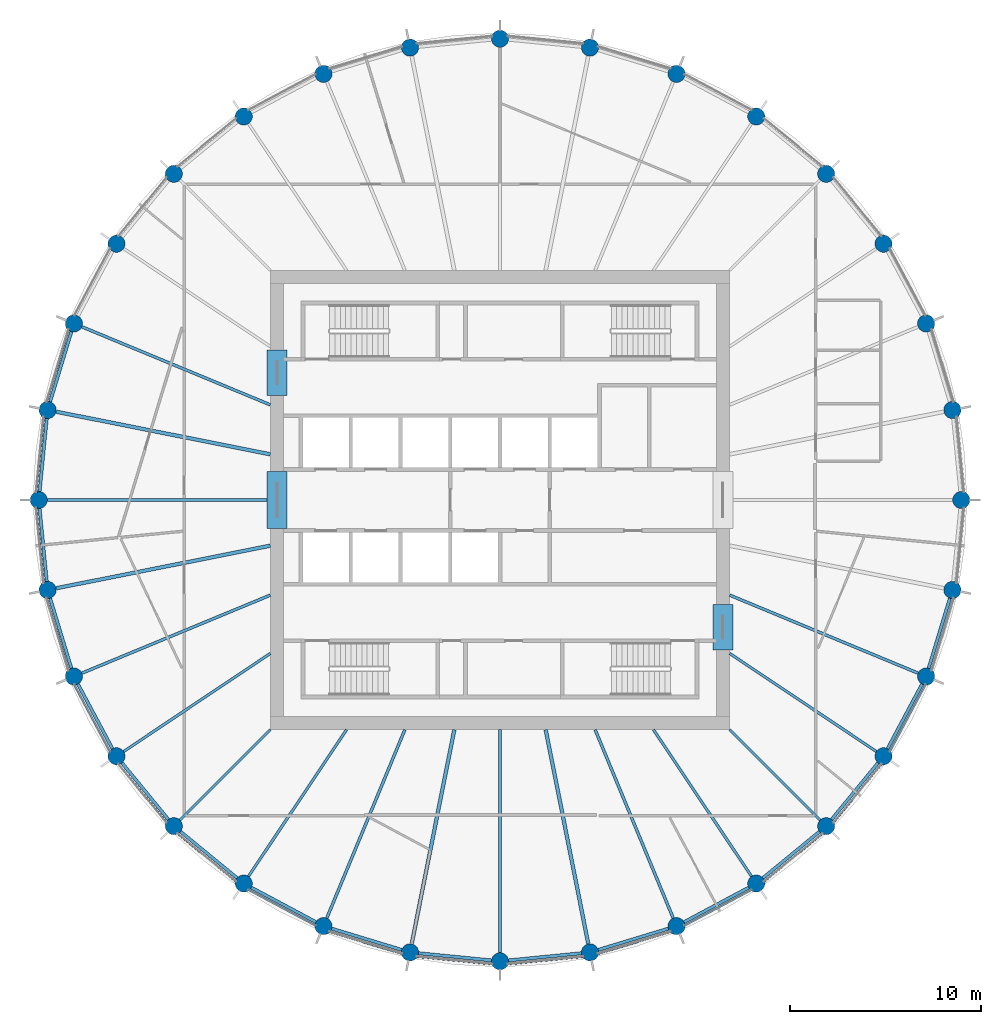
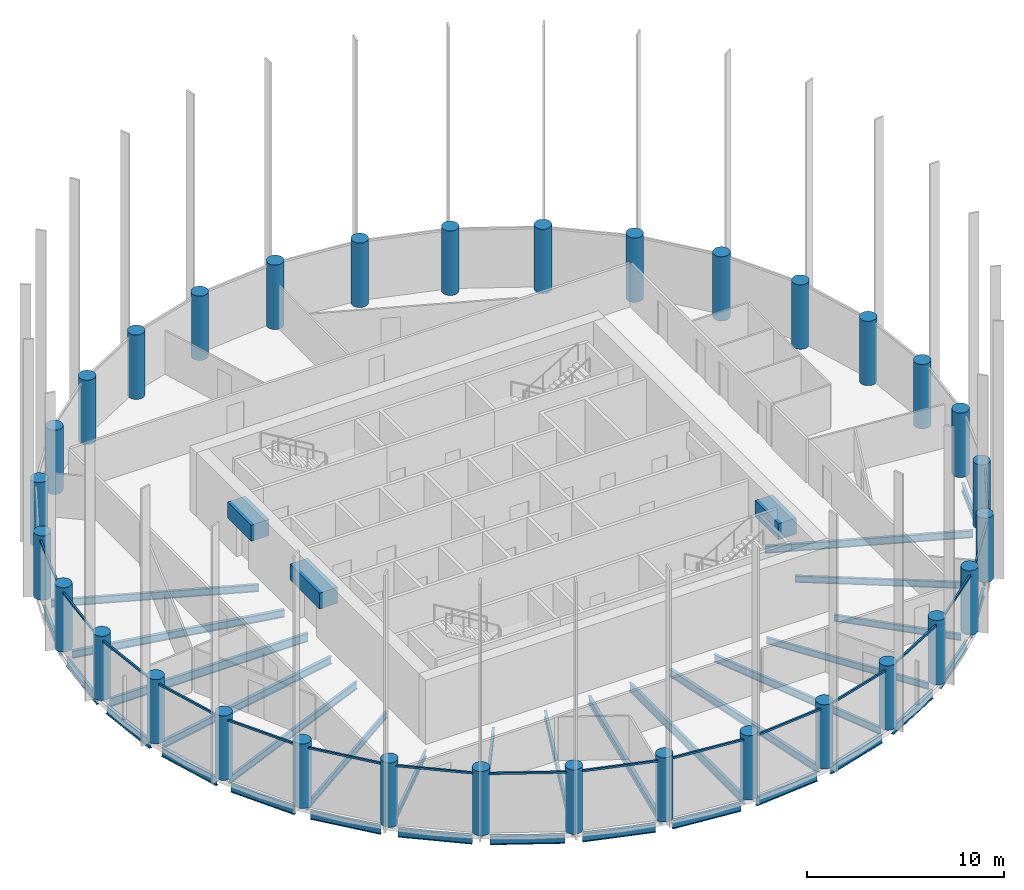
# One storey, part 1 of 7: 37 beams, 32 columns, 16 members, 16 elements without a shape of their own.
"""IFC4 building model written with IfcOpenShell, lengths in metres."""

from ifc_helpers import new_model, si_unit, direction, frame, origin, origin_2d, place, context, subcontext, project, spatial, rectangle, circle, i_section, extrude, material, material_profile, profile_set, type_object, element, aggregate, save


model = new_model("IFC4")

# Units and contexts
model_context = context("Model", 3, precision=1e-05, world=origin(), true_north=direction((0.0, 1.0)))
body_context = subcontext(model_context, "Body", "Model", "MODEL_VIEW")
ifc_project = project(units=[si_unit("LENGTHUNIT", "METRE"), si_unit("AREAUNIT", "SQUARE_METRE"), si_unit("VOLUMEUNIT", "CUBIC_METRE"), si_unit("PLANEANGLEUNIT", "RADIAN"), si_unit("MASSUNIT", "GRAM", prefix="KILO")], contexts=[model_context])

# Site, building, storey
site_placement = place(None, origin())
site = spatial("IfcSite", under=ifc_project, at=site_placement, CompositionType="ELEMENT")
building_placement = place(site_placement, origin())
building = spatial("IfcBuilding", under=site, at=building_placement, Name="Corvane Civic Tower", CompositionType="ELEMENT")
storey_placement = place(building_placement, frame((0.0, 0.0, 279.0)))
storey = spatial("IfcBuildingStorey", under=building, at=storey_placement, Name="L66", CompositionType="ELEMENT", Elevation=279.0)

# Columns
ifc_material_1 = material(Name="Concrete C60/75", Category="concrete")
ifc_material_profile_1 = material_profile(ifc_material_1, circle(Radius=0.449951171875, at=origin_2d()), Name="COLUMN 900")
ifc_profile_set_1 = profile_set([ifc_material_profile_1], Name="Concrete C60/75")
column_type = type_object("IfcColumnType", Name="RC COLUMN COLUMN 900", PredefinedType="COLUMN", material=ifc_profile_set_1)
for number, where, z_axis, x_axis, name in (
    (1, (0.0, 24.10009765625, 0.0), (0.0, 0.0, 1.0), (1.0, 0.0, 0.0), "COL-L66-E01"),
    (2, (4.70166015625, 23.636962890625, 0.0), (0.0, 0.0, 1.0), (1.0, 0.0, 0.0), "COL-L66-E02"),
    (3, (9.22265625, 22.265380859375, 0.0), (0.0, 0.0, 1.0), (1.0, 0.0, 0.0), "COL-L66-E03"),
    (4, (13.38916015625, 20.038330078125, 0.0), (0.0, 0.0, 1.0), (1.0, 0.0, 0.0), "COL-L66-E04"),
    (5, (17.041259765625, 17.041259765625, 0.0), (0.0, 0.0, 1.0), (1.0, 0.0, 0.0), "COL-L66-E05"),
    (6, (20.038330078125, 13.38916015625, 0.0), (0.0, 0.0, 1.0), (1.0, 0.0, 0.0), "COL-L66-E06"),
    (7, (22.265380859375, 9.22265625, 0.0), (0.0, 0.0, 1.0), (1.0, 0.0, 0.0), "COL-L66-E07"),
    (8, (23.636962890625, 4.70166015625, 0.0), (0.0, 0.0, 1.0), (1.0, 0.0, 0.0), "COL-L66-E08"),
    (9, (24.10009765625, 0.0, 0.0), (0.0, 0.0, 1.0), (1.0, 0.0, 0.0), "COL-L66-E09"),
    (10, (23.636962890625, -4.70166015625, 0.0), (0.0, 0.0, 1.0), (1.0, 0.0, 0.0), "COL-L66-E10"),
    (11, (22.265380859375, -9.22265625, 0.0), (0.0, 0.0, 1.0), (1.0, 0.0, 0.0), "COL-L66-E11"),
    (12, (20.038330078125, -13.38916015625, 0.0), (0.0, 0.0, 1.0), (1.0, 0.0, 0.0), "COL-L66-E12"),
    (13, (17.041259765625, -17.041259765625, 0.0), (0.0, 0.0, 1.0), (1.0, 0.0, 0.0), "COL-L66-E13"),
    (14, (13.38916015625, -20.038330078125, 0.0), (0.0, 0.0, 1.0), (1.0, 0.0, 0.0), "COL-L66-E14"),
    (15, (9.22265625, -22.265380859375, 0.0), (0.0, 0.0, 1.0), (1.0, 0.0, 0.0), "COL-L66-E15"),
    (16, (4.70166015625, -23.636962890625, 0.0), (0.0, 0.0, 1.0), (1.0, 0.0, 0.0), "COL-L66-E16"),
    (17, (0.0, -24.10009765625, 0.0), (0.0, 0.0, 1.0), (1.0, 0.0, 0.0), "COL-L66-E17"),
    (18, (-4.70166015625, -23.636962890625, 0.0), (0.0, 0.0, 1.0), (1.0, 0.0, 0.0), "COL-L66-E18"),
    (19, (-9.22265625, -22.265380859375, 0.0), (0.0, 0.0, 1.0), (1.0, 0.0, 0.0), "COL-L66-E19"),
    (20, (-13.38916015625, -20.038330078125, 0.0), (0.0, 0.0, 1.0), (1.0, 0.0, 0.0), "COL-L66-E20"),
    (21, (-17.041259765625, -17.041259765625, 0.0), (0.0, 0.0, 1.0), (1.0, 0.0, 0.0), "COL-L66-E21"),
    (22, (-20.038330078125, -13.38916015625, 0.0), (0.0, 0.0, 1.0), (1.0, 0.0, 0.0), "COL-L66-E22"),
    (23, (-22.265380859375, -9.22265625, 0.0), (0.0, 0.0, 1.0), (1.0, 0.0, 0.0), "COL-L66-E23"),
    (24, (-23.636962890625, -4.70166015625, 0.0), (0.0, 0.0, 1.0), (1.0, 0.0, 0.0), "COL-L66-E24"),
    (25, (-24.10009765625, 0.0, 0.0), (0.0, 0.0, 1.0), (1.0, 0.0, 0.0), "COL-L66-E25"),
    (26, (-23.636962890625, 4.70166015625, 0.0), (0.0, 0.0, 1.0), (1.0, 0.0, 0.0), "COL-L66-E26"),
    (27, (-22.265380859375, 9.22265625, 0.0), (0.0, 0.0, 1.0), (1.0, 0.0, 0.0), "COL-L66-E27"),
    (28, (-20.038330078125, 13.38916015625, 0.0), (0.0, 0.0, 1.0), (1.0, 0.0, 0.0), "COL-L66-E28"),
    (29, (-17.041259765625, 17.041259765625, 0.0), (0.0, 0.0, 1.0), (1.0, 0.0, 0.0), "COL-L66-E29"),
    (30, (-13.38916015625, 20.038330078125, 0.0), (0.0, 0.0, 1.0), (1.0, 0.0, 0.0), "COL-L66-E30"),
    (31, (-9.22265625, 22.265380859375, 0.0), (0.0, 0.0, 1.0), (1.0, 0.0, 0.0), "COL-L66-E31"),
    (32, (-4.70166015625, 23.636962890625, 0.0), (0.0, 0.0, 1.0), (1.0, 0.0, 0.0), "COL-L66-E32"),
):
    element("IfcColumn", number, at=place(storey_placement, frame(where, z_axis=z_axis, x_axis=x_axis)), inside=storey, type_object=column_type, Name=name, PredefinedType="COLUMN", context=body_context, shape_type="SweptSolid", body=[
        extrude(circle(Radius=0.449951171875, at=origin_2d()), origin(), (0.0, 0.0, 1.0), 4.0),
    ])

# Beams
ifc_material_2 = material(Name="Concrete C40/50", Category="concrete")
ifc_material_profile_2 = material_profile(ifc_material_2, rectangle(XDim=1.050048828125, YDim=1.0, at=origin_2d()), Name="COUPLING BEAM 1050X1000")
ifc_profile_set_2 = profile_set([ifc_material_profile_2], Name="Concrete C40/50")
beam_type_1 = type_object("IfcBeamType", Name="COUPLING BEAM COUPLING BEAM 1050X1000", PredefinedType="BEAM", material=ifc_profile_set_2)
beam_1_placement = place(storey_placement, frame((-11.64990234375, -1.5, 2.60009765625), z_axis=(0.0, 1.0, 0.0), x_axis=(-1.0, 0.0, 0.0)))
element("IfcBeam", 33, at=beam_1_placement, inside=storey, type_object=beam_type_1, Name="BM-L66-cpl-CW-LW", PredefinedType="BEAM", context=body_context, shape_type="SweptSolid", body=[
    extrude(rectangle(XDim=1.050048828125, YDim=1.0, at=origin_2d()), origin(), (0.0, 0.0, 1.0), 3.0),
])
for number, where, z_axis, x_axis, name in (
    (34, (-11.64990234375, 5.449951171875, 2.60009765625), (0.0, 1.0, 0.0), (-1.0, 0.0, 0.0), "BM-L66-cpl-CW-WN"),
    (35, (11.64990234375, -7.85009765625, 2.60009765625), (0.0, 1.0, 0.0), (-1.0, 0.0, 0.0), "BM-L66-cpl-CW-ES"),
):
    element("IfcBeam", number, at=place(storey_placement, frame(where, z_axis=z_axis, x_axis=x_axis)), inside=storey, type_object=beam_type_1, Name=name, PredefinedType="BEAM", context=body_context, shape_type="SweptSolid", body=[
        extrude(rectangle(XDim=1.050048828125, YDim=1.0, at=origin_2d()), origin(), (0.0, 0.0, 1.0), 2.400146484375),
    ])
ifc_material_3 = material(Name="Steel ASTM A992 Gr 50", Category="steel")
ifc_material_profile_3 = material_profile(ifc_material_3, i_section(OverallWidth=0.165771484375, OverallDepth=0.5283203125, WebThickness=0.009765625, FlangeThickness=0.013671875, at=origin_2d()), Name="W21X50")
ifc_profile_set_3 = profile_set([ifc_material_profile_3], Name="Steel ASTM A992 Gr 50")
beam_type_2 = type_object("IfcBeamType", Name="EDGE BEAM W21X50", PredefinedType="BEAM", material=ifc_profile_set_3)
beam_2_placement = place(storey_placement, frame((23.50634765625, -5.13232421875, -0.564208984375), z_axis=(-0.290333385085, -0.95692555902, 0.0), x_axis=(0.95692555902, -0.290333385085, 0.0)))
element("IfcBeam", 36, at=beam_2_placement, inside=storey, type_object=beam_type_2, Name="BM-L66-E10", PredefinedType="BEAM", context=body_context, shape_type="SweptSolid", body=[
    extrude(i_section(OverallWidth=0.165771484375, OverallDepth=0.5283203125, WebThickness=0.009765625, FlangeThickness=0.013671875, at=origin_2d()), origin(), (0.0, 0.0, 1.0), 3.824462890625),
])
beam_3_placement = place(storey_placement, frame((22.05322265625, -9.61962890625, -0.564208984375), z_axis=(-0.471409804487, -0.881914279413, 0.0), x_axis=(0.881914279413, -0.471409804487, 0.0)))
element("IfcBeam", 37, at=beam_3_placement, inside=storey, type_object=beam_type_2, Name="BM-L66-E11", PredefinedType="BEAM", context=body_context, shape_type="SweptSolid", body=[
    extrude(i_section(OverallWidth=0.165771484375, OverallDepth=0.5283203125, WebThickness=0.009765625, FlangeThickness=0.013671875, at=origin_2d()), origin(), (0.0, 0.0, 1.0), 3.82421875),
])
for number, where, z_axis, x_axis, name in (
    (38, (19.7529296875, -13.737060546875, -0.564208984375), (-0.634408562057, -0.772997914867, 0.0), (0.772997914867, -0.634408562057, 0.0), "BM-L66-E12"),
    (39, (16.693359375, -17.32666015625, -0.564208984375), (-0.772997914867, -0.634408562057, 0.0), (0.634408562057, -0.772997914867, 0.0), "BM-L66-E13"),
):
    element("IfcBeam", number, at=place(storey_placement, frame(where, z_axis=z_axis, x_axis=x_axis)), inside=storey, type_object=beam_type_2, Name=name, PredefinedType="BEAM", context=body_context, shape_type="SweptSolid", body=[
        extrude(i_section(OverallWidth=0.165771484375, OverallDepth=0.5283203125, WebThickness=0.009765625, FlangeThickness=0.013671875, at=origin_2d()), origin(), (0.0, 0.0, 1.0), 3.824462890625),
    ])
beam_4_placement = place(storey_placement, frame((12.9921875, -20.25048828125, -0.564208984375), z_axis=(-0.881914279413, -0.471409804487, 0.0), x_axis=(0.471409804487, -0.881914279413, 0.0)))
element("IfcBeam", 40, at=beam_4_placement, inside=storey, type_object=beam_type_2, Name="BM-L66-E14", PredefinedType="BEAM", context=body_context, shape_type="SweptSolid", body=[
    extrude(i_section(OverallWidth=0.165771484375, OverallDepth=0.5283203125, WebThickness=0.009765625, FlangeThickness=0.013671875, at=origin_2d()), origin(), (0.0, 0.0, 1.0), 3.82421875),
])
for number, where, z_axis, x_axis, name in (
    (41, (8.7919921875, -22.39599609375, -0.564208984375), (-0.95692555902, -0.290333385085, 0.0), (0.290333385085, -0.95692555902, 0.0), "BM-L66-E15"),
    (42, (4.25390625, -23.68115234375, -0.564208984375), (-0.995187721162, -0.097986732007, 0.0), (0.097986732007, -0.995187721162, 0.0), "BM-L66-E16"),
    (43, (-0.44775390625, -24.055908203125, -0.564208984375), (-0.995187721162, 0.097986732007, 0.0), (-0.097986732007, -0.995187721162, 0.0), "BM-L66-E17"),
    (44, (-5.13232421875, -23.50634765625, -0.564208984375), (-0.95692555902, 0.290333385085, 0.0), (-0.290333385085, -0.95692555902, 0.0), "BM-L66-E18"),
):
    element("IfcBeam", number, at=place(storey_placement, frame(where, z_axis=z_axis, x_axis=x_axis)), inside=storey, type_object=beam_type_2, Name=name, PredefinedType="BEAM", context=body_context, shape_type="SweptSolid", body=[
        extrude(i_section(OverallWidth=0.165771484375, OverallDepth=0.5283203125, WebThickness=0.009765625, FlangeThickness=0.013671875, at=origin_2d()), origin(), (0.0, 0.0, 1.0), 3.824462890625),
    ])
beam_5_placement = place(storey_placement, frame((-9.61962890625, -22.05322265625, -0.564208984375), z_axis=(-0.881914279413, 0.471409804487, 0.0), x_axis=(-0.471409804487, -0.881914279413, 0.0)))
element("IfcBeam", 45, at=beam_5_placement, inside=storey, type_object=beam_type_2, Name="BM-L66-E19", PredefinedType="BEAM", context=body_context, shape_type="SweptSolid", body=[
    extrude(i_section(OverallWidth=0.165771484375, OverallDepth=0.5283203125, WebThickness=0.009765625, FlangeThickness=0.013671875, at=origin_2d()), origin(), (0.0, 0.0, 1.0), 3.82421875),
])
for number, where, z_axis, x_axis, name in (
    (46, (-13.737060546875, -19.7529296875, -0.564208984375), (-0.772997914867, 0.634408562057, 0.0), (-0.634408562057, -0.772997914867, 0.0), "BM-L66-E20"),
    (47, (-17.32666015625, -16.693359375, -0.564208984375), (-0.634408562057, 0.772997914867, 0.0), (-0.772997914867, -0.634408562057, 0.0), "BM-L66-E21"),
):
    element("IfcBeam", number, at=place(storey_placement, frame(where, z_axis=z_axis, x_axis=x_axis)), inside=storey, type_object=beam_type_2, Name=name, PredefinedType="BEAM", context=body_context, shape_type="SweptSolid", body=[
        extrude(i_section(OverallWidth=0.165771484375, OverallDepth=0.5283203125, WebThickness=0.009765625, FlangeThickness=0.013671875, at=origin_2d()), origin(), (0.0, 0.0, 1.0), 3.824462890625),
    ])
beam_6_placement = place(storey_placement, frame((-20.25048828125, -12.9921875, -0.564208984375), z_axis=(-0.471409804487, 0.881914279413, 0.0), x_axis=(-0.881914279413, -0.471409804487, 0.0)))
element("IfcBeam", 48, at=beam_6_placement, inside=storey, type_object=beam_type_2, Name="BM-L66-E22", PredefinedType="BEAM", context=body_context, shape_type="SweptSolid", body=[
    extrude(i_section(OverallWidth=0.165771484375, OverallDepth=0.5283203125, WebThickness=0.009765625, FlangeThickness=0.013671875, at=origin_2d()), origin(), (0.0, 0.0, 1.0), 3.82421875),
])
for number, where, z_axis, x_axis, name in (
    (49, (-22.39599609375, -8.7919921875, -0.564208984375), (-0.290333385085, 0.95692555902, 0.0), (-0.95692555902, -0.290333385085, 0.0), "BM-L66-E23"),
    (50, (-23.68115234375, -4.25390625, -0.564208984375), (-0.097986732007, 0.995187721162, 0.0), (-0.995187721162, -0.097986732007, 0.0), "BM-L66-E24"),
    (51, (-24.055908203125, 0.44775390625, -0.564208984375), (0.097986732007, 0.995187721162, 0.0), (-0.995187721162, 0.097986732007, 0.0), "BM-L66-E25"),
    (52, (-23.50634765625, 5.13232421875, -0.564208984375), (0.290333385085, 0.95692555902, 0.0), (-0.95692555902, 0.290333385085, 0.0), "BM-L66-E26"),
):
    element("IfcBeam", number, at=place(storey_placement, frame(where, z_axis=z_axis, x_axis=x_axis)), inside=storey, type_object=beam_type_2, Name=name, PredefinedType="BEAM", context=body_context, shape_type="SweptSolid", body=[
        extrude(i_section(OverallWidth=0.165771484375, OverallDepth=0.5283203125, WebThickness=0.009765625, FlangeThickness=0.013671875, at=origin_2d()), origin(), (0.0, 0.0, 1.0), 3.824462890625),
    ])
ifc_material_4 = material(Name="Steel ASTM A992 Gr 50", Category="steel")
ifc_material_profile_4 = material_profile(ifc_material_4, i_section(OverallWidth=0.140380859375, OverallDepth=0.40380859375, WebThickness=0.007080078125, FlangeThickness=0.01123046875, at=origin_2d()), Name="W16X31")
ifc_profile_set_4 = profile_set([ifc_material_profile_4], Name="Steel ASTM A992 Gr 50")
beam_type_3 = type_object("IfcBeamType", Name="FLOOR GIRDER W16X31", PredefinedType="BEAM", material=ifc_profile_set_4)
beam_7_placement = place(storey_placement, frame((12.0, -8.01806640625, -0.501953125), z_axis=(0.831471227061, -0.555567816355, 0.0), x_axis=(0.555567816355, 0.831471227061, 0.0)))
element("IfcBeam", 53, at=beam_7_placement, inside=storey, type_object=beam_type_3, Name="BM-L66-G12", PredefinedType="BEAM", context=body_context, shape_type="SweptSolid", body=[
    extrude(i_section(OverallWidth=0.140380859375, OverallDepth=0.40380859375, WebThickness=0.007080078125, FlangeThickness=0.01123046875, at=origin_2d()), origin(), (0.0, 0.0, 1.0), 9.2177734375),
])
beam_8_placement = place(storey_placement, frame((12.0, -12.0, -0.501953125), z_axis=(0.707106781187, -0.707106781187, 0.0), x_axis=(0.707106781187, 0.707106781187, 0.0)))
element("IfcBeam", 54, at=beam_8_placement, inside=storey, type_object=beam_type_3, Name="BM-L66-G13", PredefinedType="BEAM", context=body_context, shape_type="SweptSolid", body=[
    extrude(i_section(OverallWidth=0.140380859375, OverallDepth=0.40380859375, WebThickness=0.007080078125, FlangeThickness=0.01123046875, at=origin_2d()), origin(), (0.0, 0.0, 1.0), 6.679443359375),
])
for number, where, z_axis, x_axis, name in (
    (55, (8.01806640625, -12.0, -0.501953125), (0.555567816355, -0.831471227061, 0.0), (0.831471227061, 0.555567816355, 0.0), "BM-L66-G14"),
    (56, (-8.01806640625, -12.0, -0.501953125), (-0.555567816355, -0.831471227061, 0.0), (0.831471227061, -0.555567816355, 0.0), "BM-L66-G20"),
):
    element("IfcBeam", number, at=place(storey_placement, frame(where, z_axis=z_axis, x_axis=x_axis)), inside=storey, type_object=beam_type_3, Name=name, PredefinedType="BEAM", context=body_context, shape_type="SweptSolid", body=[
        extrude(i_section(OverallWidth=0.140380859375, OverallDepth=0.40380859375, WebThickness=0.007080078125, FlangeThickness=0.01123046875, at=origin_2d()), origin(), (0.0, 0.0, 1.0), 9.2177734375),
    ])
beam_9_placement = place(storey_placement, frame((-12.0, -12.0, -0.501953125), z_axis=(-0.707106781187, -0.707106781187, 0.0), x_axis=(0.707106781187, -0.707106781187, 0.0)))
element("IfcBeam", 57, at=beam_9_placement, inside=storey, type_object=beam_type_3, Name="BM-L66-G21", PredefinedType="BEAM", context=body_context, shape_type="SweptSolid", body=[
    extrude(i_section(OverallWidth=0.140380859375, OverallDepth=0.40380859375, WebThickness=0.007080078125, FlangeThickness=0.01123046875, at=origin_2d()), origin(), (0.0, 0.0, 1.0), 6.679443359375),
])
beam_10_placement = place(storey_placement, frame((-12.0, -8.01806640625, -0.501953125), z_axis=(-0.831471227061, -0.555567816355, 0.0), x_axis=(0.555567816355, -0.831471227061, 0.0)))
element("IfcBeam", 58, at=beam_10_placement, inside=storey, type_object=beam_type_3, Name="BM-L66-G22", PredefinedType="BEAM", context=body_context, shape_type="SweptSolid", body=[
    extrude(i_section(OverallWidth=0.140380859375, OverallDepth=0.40380859375, WebThickness=0.007080078125, FlangeThickness=0.01123046875, at=origin_2d()), origin(), (0.0, 0.0, 1.0), 9.2177734375),
])
ifc_material_5 = material(Name="Steel ASTM A992 Gr 50", Category="steel")
ifc_material_profile_5 = material_profile(ifc_material_5, i_section(OverallWidth=0.15283203125, OverallDepth=0.45458984375, WebThickness=0.008056640625, FlangeThickness=0.013427734375, at=origin_2d()), Name="W18X40")
ifc_profile_set_5 = profile_set([ifc_material_profile_5], Name="Steel ASTM A992 Gr 50")
beam_type_4 = type_object("IfcBeamType", Name="FLOOR GIRDER W18X40", PredefinedType="BEAM", material=ifc_profile_set_5)
for number, where, z_axis, x_axis, name in (
    (59, (12.0, -4.970458984375, -0.52734375), (0.923875048589, -0.382694257331, 0.0), (0.382694257331, 0.923875048589, 0.0), "BM-L66-G11"),
    (60, (4.970458984375, -12.0, -0.52734375), (0.382694257331, -0.923875048589, 0.0), (0.923875048589, 0.382694257331, 0.0), "BM-L66-G15"),
    (61, (-4.970458984375, -12.0, -0.52734375), (-0.382694257331, -0.923875048589, 0.0), (0.923875048589, -0.382694257331, 0.0), "BM-L66-G19"),
    (62, (-12.0, -4.970458984375, -0.52734375), (-0.923875048589, -0.382694257331, 0.0), (0.382694257331, -0.923875048589, 0.0), "BM-L66-G23"),
    (63, (-12.0, 4.970458984375, -0.52734375), (-0.923875048589, 0.382694257331, 0.0), (-0.382694257331, -0.923875048589, 0.0), "BM-L66-G27"),
):
    element("IfcBeam", number, at=place(storey_placement, frame(where, z_axis=z_axis, x_axis=x_axis)), inside=storey, type_object=beam_type_4, Name=name, PredefinedType="BEAM", context=body_context, shape_type="SweptSolid", body=[
        extrude(i_section(OverallWidth=0.15283203125, OverallDepth=0.45458984375, WebThickness=0.008056640625, FlangeThickness=0.013427734375, at=origin_2d()), origin(), (0.0, 0.0, 1.0), 10.661376953125),
    ])
ifc_material_6 = material(Name="Steel ASTM A992 Gr 50", Category="steel")
ifc_material_profile_6 = material_profile(ifc_material_6, i_section(OverallWidth=0.1904296875, OverallDepth=0.457275390625, WebThickness=0.009033203125, FlangeThickness=0.014404296875, at=origin_2d()), Name="W18X50")
ifc_profile_set_6 = profile_set([ifc_material_profile_6], Name="Steel ASTM A992 Gr 50")
beam_type_5 = type_object("IfcBeamType", Name="FLOOR GIRDER W18X50", PredefinedType="BEAM", material=ifc_profile_set_6)
for number, where, z_axis, x_axis, name in (
    (64, (2.386962890625, -12.0, -0.528564453125), (0.195079532402, -0.980787426529, 0.0), (0.980787426529, 0.195079532402, 0.0), "BM-L66-G16"),
    (65, (-2.386962890625, -12.0, -0.528564453125), (-0.195079532402, -0.980787426529, 0.0), (0.980787426529, -0.195079532402, 0.0), "BM-L66-G18"),
    (66, (-12.0, -2.386962890625, -0.528564453125), (-0.980787426529, -0.195079532402, 0.0), (0.195079532402, -0.980787426529, 0.0), "BM-L66-G24"),
    (67, (-12.0, 2.386962890625, -0.528564453125), (-0.980787426529, 0.195079532402, 0.0), (-0.195079532402, -0.980787426529, 0.0), "BM-L66-G26"),
):
    element("IfcBeam", number, at=place(storey_placement, frame(where, z_axis=z_axis, x_axis=x_axis)), inside=storey, type_object=beam_type_5, Name=name, PredefinedType="BEAM", context=body_context, shape_type="SweptSolid", body=[
        extrude(i_section(OverallWidth=0.1904296875, OverallDepth=0.457275390625, WebThickness=0.009033203125, FlangeThickness=0.014404296875, at=origin_2d()), origin(), (0.0, 0.0, 1.0), 11.414794921875),
    ])
ifc_material_7 = material(Name="Steel ASTM A992 Gr 50", Category="steel")
ifc_material_profile_7 = material_profile(ifc_material_7, i_section(OverallWidth=0.165771484375, OverallDepth=0.5283203125, WebThickness=0.009765625, FlangeThickness=0.013671875, at=origin_2d()), Name="W21X50")
ifc_profile_set_7 = profile_set([ifc_material_profile_7], Name="Steel ASTM A992 Gr 50")
beam_type_6 = type_object("IfcBeamType", Name="FLOOR GIRDER W21X50", PredefinedType="BEAM", material=ifc_profile_set_7)
for number, where, z_axis, x_axis, name in (
    (68, (0.0, -12.0, -0.564208984375), (0.0, -1.0, 0.0), (1.0, 0.0, 0.0), "BM-L66-G17"),
    (69, (-12.0, 0.0, -0.564208984375), (-1.0, 0.0, 0.0), (0.0, -1.0, 0.0), "BM-L66-G25"),
):
    element("IfcBeam", number, at=place(storey_placement, frame(where, z_axis=z_axis, x_axis=x_axis)), inside=storey, type_object=beam_type_6, Name=name, PredefinedType="BEAM", context=body_context, shape_type="SweptSolid", body=[
        extrude(i_section(OverallWidth=0.165771484375, OverallDepth=0.5283203125, WebThickness=0.009765625, FlangeThickness=0.013671875, at=origin_2d()), origin(), (0.0, 0.0, 1.0), 11.64990234375),
    ])

# Curtain wall, member
ifc_material_8 = material(Name="Anodised aluminium bronze", Category="aluminium")
curtain_wall_type = type_object("IfcCurtainWallType", Name="TOWER CW-T3 STICK CURTAIN WALL", PredefinedType="NOTDEFINED", material=ifc_material_8)
curtain_wall_1_placement = place(storey_placement, origin())
curtain_wall_1 = element("IfcCurtainWall", 70, at=curtain_wall_1_placement, inside=storey, type_object=curtain_wall_type, Name="Curtain wall CW-T3 L66 bay 11", PredefinedType="NOTDEFINED")
ifc_material_9 = material(Name="Anodised aluminium bronze", Category="aluminium")
ifc_material_profile_8 = material_profile(ifc_material_9, rectangle(XDim=0.10009765625, YDim=0.1201171875, at=origin_2d()), Name="TOWER CW-T3 TRANSOM 100x120")
ifc_profile_set_8 = profile_set([ifc_material_profile_8], Name="Anodised aluminium bronze")
member_type = type_object("IfcMemberType", Name="TOWER CW-T3 TRANSOM 100x120", PredefinedType="USERDEFINED", material=ifc_profile_set_8)
member_1_placement = place(storey_placement, frame((22.2431640625, -9.644775390625, 3.68994140625), z_axis=(-0.471468241052, -0.881883040816, 0.0), x_axis=(0.881883040816, -0.471468241052, 0.0)))
member_1 = element("IfcMember", 71, at=member_1_placement, type_object=member_type, Name="Transom CW-T3 L66 11.1", ObjectType="TRANSOM", PredefinedType="USERDEFINED", context=body_context, shape_type="SweptSolid", body=[
    extrude(rectangle(XDim=0.10009765625, YDim=0.1201171875, at=origin_2d()), origin(), (0.0, 0.0, 1.0), 3.958740234375),
])
aggregate(curtain_wall_1, [member_1])

curtain_wall_2_placement = place(storey_placement, origin())
curtain_wall_2 = element("IfcCurtainWall", 72, at=curtain_wall_2_placement, inside=storey, type_object=curtain_wall_type, Name="Curtain wall CW-T3 L66 bay 12", PredefinedType="NOTDEFINED")
member_2_placement = place(storey_placement, frame((19.93408203125, -13.798828125, 3.68994140625), z_axis=(-0.634415838373, -0.772991943051, 0.0), x_axis=(0.772991943051, -0.634415838373, 0.0)))
member_2 = element("IfcMember", 73, at=member_2_placement, type_object=member_type, Name="Transom CW-T3 L66 12.1", ObjectType="TRANSOM", PredefinedType="USERDEFINED", context=body_context, shape_type="SweptSolid", body=[
    extrude(rectangle(XDim=0.10009765625, YDim=0.1201171875, at=origin_2d()), origin(), (0.0, 0.0, 1.0), 3.958740234375),
])
aggregate(curtain_wall_2, [member_2])

curtain_wall_3_placement = place(storey_placement, origin())
curtain_wall_3 = element("IfcCurtainWall", 74, at=curtain_wall_3_placement, inside=storey, type_object=curtain_wall_type, Name="Curtain wall CW-T3 L66 bay 13", PredefinedType="NOTDEFINED")
member_3_placement = place(storey_placement, frame((16.85888671875, -17.422607421875, 3.68994140625), z_axis=(-0.772991943051, -0.634415838373, 0.0), x_axis=(0.634415838373, -0.772991943051, 0.0)))
member_3 = element("IfcMember", 75, at=member_3_placement, type_object=member_type, Name="Transom CW-T3 L66 13.1", ObjectType="TRANSOM", PredefinedType="USERDEFINED", context=body_context, shape_type="SweptSolid", body=[
    extrude(rectangle(XDim=0.10009765625, YDim=0.1201171875, at=origin_2d()), origin(), (0.0, 0.0, 1.0), 3.958740234375),
])
aggregate(curtain_wall_3, [member_3])

curtain_wall_4_placement = place(storey_placement, origin())
curtain_wall_4 = element("IfcCurtainWall", 76, at=curtain_wall_4_placement, inside=storey, type_object=curtain_wall_type, Name="Curtain wall CW-T3 L66 bay 14", PredefinedType="NOTDEFINED")
member_4_placement = place(storey_placement, frame((13.135986328125, -20.376708984375, 3.68994140625), z_axis=(-0.881883040816, -0.471468241052, 0.0), x_axis=(0.471468241052, -0.881883040816, 0.0)))
member_4 = element("IfcMember", 77, at=member_4_placement, type_object=member_type, Name="Transom CW-T3 L66 14.1", ObjectType="TRANSOM", PredefinedType="USERDEFINED", context=body_context, shape_type="SweptSolid", body=[
    extrude(rectangle(XDim=0.10009765625, YDim=0.1201171875, at=origin_2d()), origin(), (0.0, 0.0, 1.0), 3.958740234375),
])
aggregate(curtain_wall_4, [member_4])

curtain_wall_5_placement = place(storey_placement, origin())
curtain_wall_5 = element("IfcCurtainWall", 78, at=curtain_wall_5_placement, inside=storey, type_object=curtain_wall_type, Name="Curtain wall CW-T3 L66 bay 15", PredefinedType="NOTDEFINED")
member_5_placement = place(storey_placement, frame((8.908447265625, -22.548095703125, 3.68994140625), z_axis=(-0.956946054205, -0.290265825309, 0.0), x_axis=(0.290265825309, -0.956946054205, 0.0)))
member_5 = element("IfcMember", 79, at=member_5_placement, type_object=member_type, Name="Transom CW-T3 L66 15.1", ObjectType="TRANSOM", PredefinedType="USERDEFINED", context=body_context, shape_type="SweptSolid", body=[
    extrude(rectangle(XDim=0.10009765625, YDim=0.1201171875, at=origin_2d()), origin(), (0.0, 0.0, 1.0), 3.958984375),
])
aggregate(curtain_wall_5, [member_5])

curtain_wall_6_placement = place(storey_placement, origin())
curtain_wall_6 = element("IfcCurtainWall", 80, at=curtain_wall_6_placement, inside=storey, type_object=curtain_wall_type, Name="Curtain wall CW-T3 L66 bay 16", PredefinedType="NOTDEFINED")
member_6_placement = place(storey_placement, frame((4.338134765625, -23.852783203125, 3.68994140625), z_axis=(-0.995186866683, -0.097995409999, 0.0), x_axis=(0.097995409999, -0.995186866683, 0.0)))
member_6 = element("IfcMember", 81, at=member_6_placement, type_object=member_type, Name="Transom CW-T3 L66 16.1", ObjectType="TRANSOM", PredefinedType="USERDEFINED", context=body_context, shape_type="SweptSolid", body=[
    extrude(rectangle(XDim=0.10009765625, YDim=0.1201171875, at=origin_2d()), origin(), (0.0, 0.0, 1.0), 3.958740234375),
])
aggregate(curtain_wall_6, [member_6])

curtain_wall_7_placement = place(storey_placement, origin())
curtain_wall_7 = element("IfcCurtainWall", 82, at=curtain_wall_7_placement, inside=storey, type_object=curtain_wall_type, Name="Curtain wall CW-T3 L66 bay 17", PredefinedType="NOTDEFINED")
member_7_placement = place(storey_placement, frame((-0.3984375, -24.24072265625, 3.68994140625), z_axis=(-0.995186866683, 0.097995409999, 0.0), x_axis=(-0.097995409999, -0.995186866683, 0.0)))
member_7 = element("IfcMember", 83, at=member_7_placement, type_object=member_type, Name="Transom CW-T3 L66 17.1", ObjectType="TRANSOM", PredefinedType="USERDEFINED", context=body_context, shape_type="SweptSolid", body=[
    extrude(rectangle(XDim=0.10009765625, YDim=0.1201171875, at=origin_2d()), origin(), (0.0, 0.0, 1.0), 3.958740234375),
])
aggregate(curtain_wall_7, [member_7])

curtain_wall_8_placement = place(storey_placement, origin())
curtain_wall_8 = element("IfcCurtainWall", 84, at=curtain_wall_8_placement, inside=storey, type_object=curtain_wall_type, Name="Curtain wall CW-T3 L66 bay 18", PredefinedType="NOTDEFINED")
member_8_placement = place(storey_placement, frame((-5.119873046875, -23.697265625, 3.68994140625), z_axis=(-0.956946054205, 0.290265825309, 0.0), x_axis=(-0.290265825309, -0.956946054205, 0.0)))
member_8 = element("IfcMember", 85, at=member_8_placement, type_object=member_type, Name="Transom CW-T3 L66 18.1", ObjectType="TRANSOM", PredefinedType="USERDEFINED", context=body_context, shape_type="SweptSolid", body=[
    extrude(rectangle(XDim=0.10009765625, YDim=0.1201171875, at=origin_2d()), origin(), (0.0, 0.0, 1.0), 3.958984375),
])
aggregate(curtain_wall_8, [member_8])

curtain_wall_9_placement = place(storey_placement, origin())
curtain_wall_9 = element("IfcCurtainWall", 86, at=curtain_wall_9_placement, inside=storey, type_object=curtain_wall_type, Name="Curtain wall CW-T3 L66 bay 19", PredefinedType="NOTDEFINED")
member_9_placement = place(storey_placement, frame((-9.644775390625, -22.2431640625, 3.68994140625), z_axis=(-0.881883040816, 0.471468241052, 0.0), x_axis=(-0.471468241052, -0.881883040816, 0.0)))
member_9 = element("IfcMember", 87, at=member_9_placement, type_object=member_type, Name="Transom CW-T3 L66 19.1", ObjectType="TRANSOM", PredefinedType="USERDEFINED", context=body_context, shape_type="SweptSolid", body=[
    extrude(rectangle(XDim=0.10009765625, YDim=0.1201171875, at=origin_2d()), origin(), (0.0, 0.0, 1.0), 3.958740234375),
])
aggregate(curtain_wall_9, [member_9])

curtain_wall_10_placement = place(storey_placement, origin())
curtain_wall_10 = element("IfcCurtainWall", 88, at=curtain_wall_10_placement, inside=storey, type_object=curtain_wall_type, Name="Curtain wall CW-T3 L66 bay 20", PredefinedType="NOTDEFINED")
member_10_placement = place(storey_placement, frame((-13.798828125, -19.93408203125, 3.68994140625), z_axis=(-0.772991943051, 0.634415838373, 0.0), x_axis=(-0.634415838373, -0.772991943051, 0.0)))
member_10 = element("IfcMember", 89, at=member_10_placement, type_object=member_type, Name="Transom CW-T3 L66 20.1", ObjectType="TRANSOM", PredefinedType="USERDEFINED", context=body_context, shape_type="SweptSolid", body=[
    extrude(rectangle(XDim=0.10009765625, YDim=0.1201171875, at=origin_2d()), origin(), (0.0, 0.0, 1.0), 3.958740234375),
])
aggregate(curtain_wall_10, [member_10])

curtain_wall_11_placement = place(storey_placement, origin())
curtain_wall_11 = element("IfcCurtainWall", 90, at=curtain_wall_11_placement, inside=storey, type_object=curtain_wall_type, Name="Curtain wall CW-T3 L66 bay 21", PredefinedType="NOTDEFINED")
member_11_placement = place(storey_placement, frame((-17.422607421875, -16.85888671875, 3.68994140625), z_axis=(-0.634415838373, 0.772991943051, 0.0), x_axis=(-0.772991943051, -0.634415838373, 0.0)))
member_11 = element("IfcMember", 91, at=member_11_placement, type_object=member_type, Name="Transom CW-T3 L66 21.1", ObjectType="TRANSOM", PredefinedType="USERDEFINED", context=body_context, shape_type="SweptSolid", body=[
    extrude(rectangle(XDim=0.10009765625, YDim=0.1201171875, at=origin_2d()), origin(), (0.0, 0.0, 1.0), 3.958740234375),
])
aggregate(curtain_wall_11, [member_11])

curtain_wall_12_placement = place(storey_placement, origin())
curtain_wall_12 = element("IfcCurtainWall", 92, at=curtain_wall_12_placement, inside=storey, type_object=curtain_wall_type, Name="Curtain wall CW-T3 L66 bay 22", PredefinedType="NOTDEFINED")
member_12_placement = place(storey_placement, frame((-20.376708984375, -13.135986328125, 3.68994140625), z_axis=(-0.471468241052, 0.881883040816, 0.0), x_axis=(-0.881883040816, -0.471468241052, 0.0)))
member_12 = element("IfcMember", 93, at=member_12_placement, type_object=member_type, Name="Transom CW-T3 L66 22.1", ObjectType="TRANSOM", PredefinedType="USERDEFINED", context=body_context, shape_type="SweptSolid", body=[
    extrude(rectangle(XDim=0.10009765625, YDim=0.1201171875, at=origin_2d()), origin(), (0.0, 0.0, 1.0), 3.958740234375),
])
aggregate(curtain_wall_12, [member_12])

curtain_wall_13_placement = place(storey_placement, origin())
curtain_wall_13 = element("IfcCurtainWall", 94, at=curtain_wall_13_placement, inside=storey, type_object=curtain_wall_type, Name="Curtain wall CW-T3 L66 bay 23", PredefinedType="NOTDEFINED")
member_13_placement = place(storey_placement, frame((-22.548095703125, -8.908447265625, 3.68994140625), z_axis=(-0.290265825309, 0.956946054205, 0.0), x_axis=(-0.956946054205, -0.290265825309, 0.0)))
member_13 = element("IfcMember", 95, at=member_13_placement, type_object=member_type, Name="Transom CW-T3 L66 23.1", ObjectType="TRANSOM", PredefinedType="USERDEFINED", context=body_context, shape_type="SweptSolid", body=[
    extrude(rectangle(XDim=0.10009765625, YDim=0.1201171875, at=origin_2d()), origin(), (0.0, 0.0, 1.0), 3.958984375),
])
aggregate(curtain_wall_13, [member_13])

curtain_wall_14_placement = place(storey_placement, origin())
curtain_wall_14 = element("IfcCurtainWall", 96, at=curtain_wall_14_placement, inside=storey, type_object=curtain_wall_type, Name="Curtain wall CW-T3 L66 bay 24", PredefinedType="NOTDEFINED")
member_14_placement = place(storey_placement, frame((-23.852783203125, -4.338134765625, 3.68994140625), z_axis=(-0.097995409999, 0.995186866683, 0.0), x_axis=(-0.995186866683, -0.097995409999, 0.0)))
member_14 = element("IfcMember", 97, at=member_14_placement, type_object=member_type, Name="Transom CW-T3 L66 24.1", ObjectType="TRANSOM", PredefinedType="USERDEFINED", context=body_context, shape_type="SweptSolid", body=[
    extrude(rectangle(XDim=0.10009765625, YDim=0.1201171875, at=origin_2d()), origin(), (0.0, 0.0, 1.0), 3.958740234375),
])
aggregate(curtain_wall_14, [member_14])

curtain_wall_15_placement = place(storey_placement, origin())
curtain_wall_15 = element("IfcCurtainWall", 98, at=curtain_wall_15_placement, inside=storey, type_object=curtain_wall_type, Name="Curtain wall CW-T3 L66 bay 25", PredefinedType="NOTDEFINED")
member_15_placement = place(storey_placement, frame((-24.24072265625, 0.3984375, 3.68994140625), z_axis=(0.097995409999, 0.995186866683, 0.0), x_axis=(-0.995186866683, 0.097995409999, 0.0)))
member_15 = element("IfcMember", 99, at=member_15_placement, type_object=member_type, Name="Transom CW-T3 L66 25.1", ObjectType="TRANSOM", PredefinedType="USERDEFINED", context=body_context, shape_type="SweptSolid", body=[
    extrude(rectangle(XDim=0.10009765625, YDim=0.1201171875, at=origin_2d()), origin(), (0.0, 0.0, 1.0), 3.958740234375),
])
aggregate(curtain_wall_15, [member_15])

curtain_wall_16_placement = place(storey_placement, origin())
curtain_wall_16 = element("IfcCurtainWall", 100, at=curtain_wall_16_placement, inside=storey, type_object=curtain_wall_type, Name="Curtain wall CW-T3 L66 bay 26", PredefinedType="NOTDEFINED")
member_16_placement = place(storey_placement, frame((-23.697265625, 5.119873046875, 3.68994140625), z_axis=(0.290265825309, 0.956946054205, 0.0), x_axis=(-0.956946054205, 0.290265825309, 0.0)))
member_16 = element("IfcMember", 101, at=member_16_placement, type_object=member_type, Name="Transom CW-T3 L66 26.1", ObjectType="TRANSOM", PredefinedType="USERDEFINED", context=body_context, shape_type="SweptSolid", body=[
    extrude(rectangle(XDim=0.10009765625, YDim=0.1201171875, at=origin_2d()), origin(), (0.0, 0.0, 1.0), 3.958984375),
])
aggregate(curtain_wall_16, [member_16])

save(model, "model.ifc")
